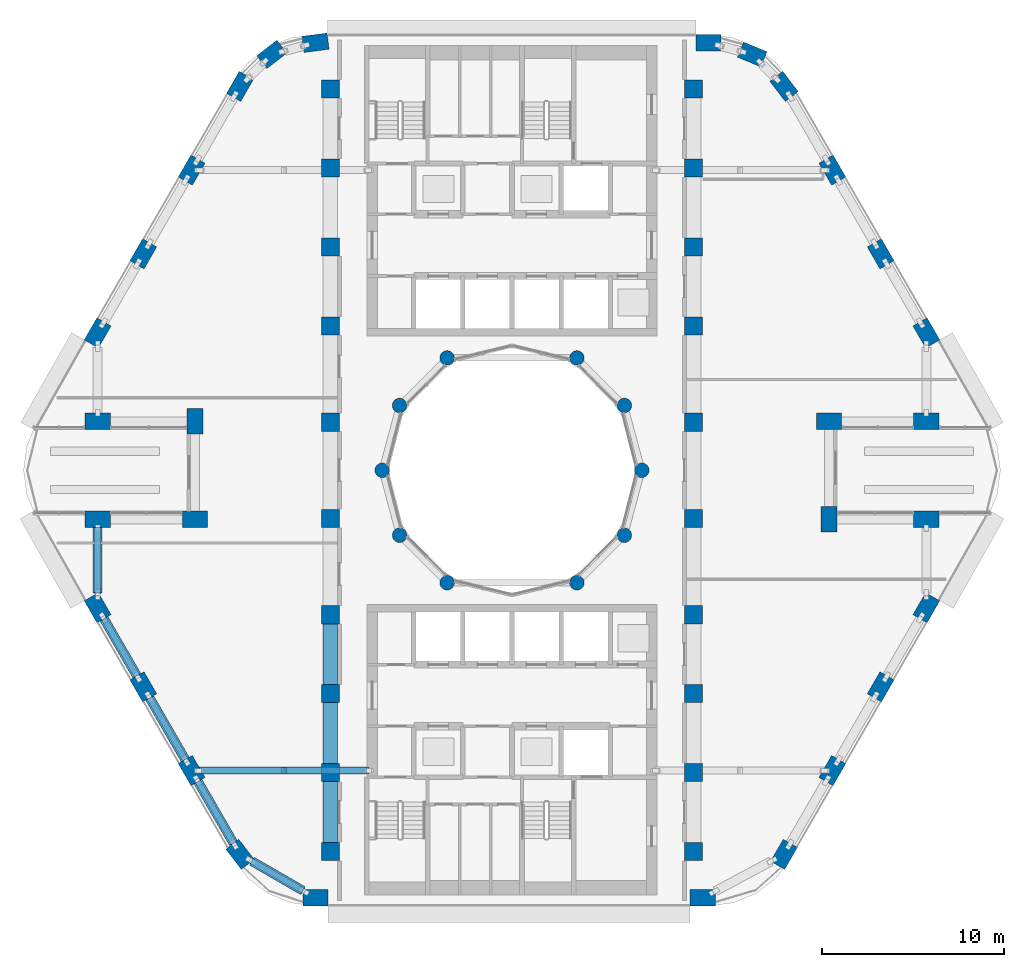
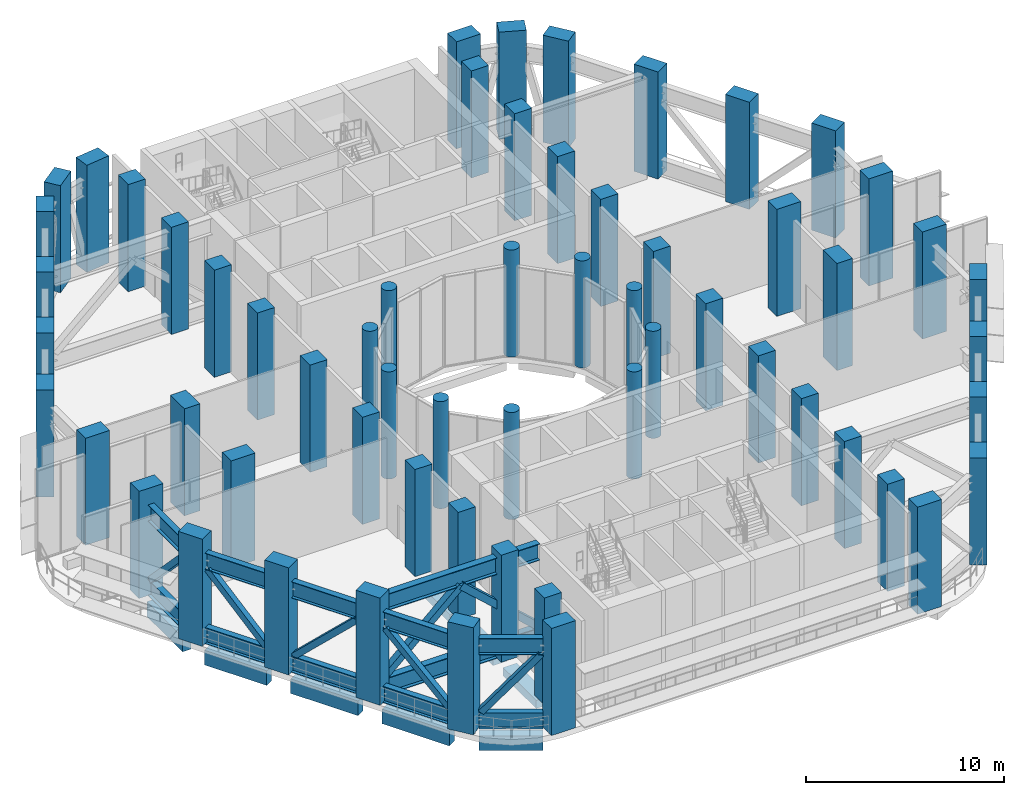
# One storey, part 1 of 21: 60 columns, 19 members, 8 beams.
"""IFC4 building model written with IfcOpenShell, lengths in metres."""

import ifcopenshell
import ifcopenshell.guid

model = None  # the IFC model being written
_history = None  # IfcOwnerHistory: only IFC2X3 demands one
_inside = {}  # id of a spatial element -> (the spatial element, [elements in it])
_under = {}  # id of a project, library or spatial element -> (it, [spatial elements below it])
_declared = {}  # id of a project -> (the project, [libraries it declares])
_typed = {}  # id of a type object -> (the type object, [elements of that type])
_made_of = {}  # id of a material, layer set ... -> (it, [elements and type objects made of it])


def new_model(schema):
    """Start an empty IFC model of exactly this schema.

    Asked for "IFC4X3", IfcOpenShell would pick the latest addendum, in which some entities
    have other attributes; the version numbers below select the first issue.
    IFC2X3 requires an IfcOwnerHistory on every rooted entity: one is made here for all.
    """
    global model, _history
    if schema == "IFC4X3":
        model = ifcopenshell.file(schema_version=(4, 3, 0, 0))
    else:
        model = ifcopenshell.file(schema=schema)
    _inside.clear()
    _under.clear()
    _declared.clear()
    _typed.clear()
    _made_of.clear()
    _history = None
    if model.schema == "IFC2X3":
        org = make("IfcOrganization", Name="unknown")
        user = make(
            "IfcPersonAndOrganization",
            ThePerson=make("IfcPerson", FamilyName="unknown"),
            TheOrganization=org,
        )
        app = make(
            "IfcApplication",
            ApplicationDeveloper=org,
            Version="unknown",
            ApplicationFullName="unknown",
            ApplicationIdentifier="unknown",
        )
        _history = make(
            "IfcOwnerHistory",
            OwningUser=user,
            OwningApplication=app,
            ChangeAction="ADDED",
            CreationDate=0,
        )
    return model


def make(cls, **values):
    """One entity of the class cls with the attributes given. An attribute that is None is left unset."""
    return model.create_entity(
        cls, **{name: value for name, value in values.items() if value is not None}
    )


def rooted(cls, **values):
    """An entity with a GlobalId (a new one), such as an element, a storey or a relation."""
    return make(cls, GlobalId=ifcopenshell.guid.new(), OwnerHistory=_history, **values)


def si_unit(unit_type, name, prefix=None):
    """IfcSIUnit, for example si_unit("LENGTHUNIT", "METRE", prefix="MILLI")."""
    return make("IfcSIUnit", UnitType=unit_type, Prefix=prefix, Name=name)


def assignment(units):
    """IfcUnitAssignment: the units of a project."""
    return None if units is None else make("IfcUnitAssignment", Units=units)


def point(xyz):
    """IfcCartesianPoint."""
    return None if xyz is None else make("IfcCartesianPoint", Coordinates=xyz)


def direction(xyz):
    """IfcDirection."""
    return None if xyz is None else make("IfcDirection", DirectionRatios=xyz)


def frame(location, z_axis=None, x_axis=None):
    """IfcAxis2Placement3D, a coordinate frame: its origin and axes. An axis left out is left unset."""
    return make(
        "IfcAxis2Placement3D",
        Location=point(location),
        Axis=direction(z_axis),
        RefDirection=direction(x_axis),
    )


def frame_2d(location, x_axis=None):
    """IfcAxis2Placement2D, a coordinate frame in the plane: its origin and x axis."""
    return make(
        "IfcAxis2Placement2D", Location=point(location), RefDirection=direction(x_axis)
    )


def origin():
    """The frame at (0, 0, 0) with its axes left unset."""
    return frame((0.0, 0.0, 0.0))


def origin_2d():
    """The frame at (0, 0) in the plane with its x axis left unset."""
    return frame_2d((0.0, 0.0))


def place(relative_to, where):
    """IfcLocalPlacement: puts the frame where relative to a parent placement (None: the world)."""
    return make(
        "IfcLocalPlacement", PlacementRelTo=relative_to, RelativePlacement=where
    )


def context(
    kind, dimensions, precision=None, world=None, true_north=None, identifier=None
):
    """IfcGeometricRepresentationContext, for example the 3D "Model" context."""
    return make(
        "IfcGeometricRepresentationContext",
        ContextIdentifier=identifier,
        ContextType=kind,
        CoordinateSpaceDimension=dimensions,
        Precision=precision,
        WorldCoordinateSystem=world,
        TrueNorth=true_north,
    )


def subcontext(parent, identifier, kind, view, scale=None):
    """IfcGeometricRepresentationSubContext, for example "Body" below "Model"."""
    return make(
        "IfcGeometricRepresentationSubContext",
        ContextIdentifier=identifier,
        ContextType=kind,
        ParentContext=parent,
        TargetScale=scale,
        TargetView=view,
    )


def project(units=None, contexts=None):
    """IfcProject with its units and contexts."""
    return rooted(
        "IfcProject",
        Name="project",
        RepresentationContexts=contexts,
        UnitsInContext=assignment(units),
    )


def spatial(cls, under=None, at=None, **own):
    """A site, building, storey or space (cls), placed at a placement, below another one or the project."""
    s = rooted(cls, ObjectPlacement=at, **own)
    if under is not None:
        _under.setdefault(under.id(), (under, []))[1].append(s)
    return s


def profile(cls, at=None, kind="AREA", **sizes):
    """A parametric profile (cls). Its sizes go by their IFC names, for example OverallWidth=200.0."""
    return make(cls, ProfileType=kind, Position=at, **sizes)


def rectangle(**sizes):
    """IfcRectangleProfileDef."""
    return profile("IfcRectangleProfileDef", **sizes)


def hollow_rectangle(**sizes):
    """IfcRectangleHollowProfileDef."""
    return profile("IfcRectangleHollowProfileDef", **sizes)


def circle(**sizes):
    """IfcCircleProfileDef."""
    return profile("IfcCircleProfileDef", **sizes)


def i_section(**sizes):
    """IfcIShapeProfileDef."""
    return profile("IfcIShapeProfileDef", **sizes)


def extrude(swept, where, along, depth):
    """IfcExtrudedAreaSolid: the profile swept, set in the frame where, extruded along a direction by depth."""
    return make(
        "IfcExtrudedAreaSolid",
        SweptArea=swept,
        Position=where,
        ExtrudedDirection=direction(along),
        Depth=depth,
    )


def shape(context_of_items, identifier, shape_type, items):
    """IfcShapeRepresentation: the items that make up one representation, for example the "Body"."""
    return make(
        "IfcShapeRepresentation",
        ContextOfItems=context_of_items,
        RepresentationIdentifier=identifier,
        RepresentationType=shape_type,
        Items=items,
    )


def material(Name=None, Category=None):
    """IfcMaterial."""
    return make("IfcMaterial", Name=Name, Category=Category)


def material_profile(
    of_material, cross_section, Name=None, Category=None, Priority=None
):
    """IfcMaterialProfile: a cross section and its material."""
    return make(
        "IfcMaterialProfile",
        Name=Name,
        Material=of_material,
        Profile=cross_section,
        Priority=Priority,
        Category=Category,
    )


def profile_set(profiles, Name=None, composite=None):
    """IfcMaterialProfileSet."""
    return make(
        "IfcMaterialProfileSet",
        Name=Name,
        MaterialProfiles=profiles,
        CompositeProfile=composite,
    )


def made_of(thing, what):
    """Note that an element or type object is made of a material, layer set ...; save() writes the relation."""
    if what is not None:
        _made_of.setdefault(what.id(), (what, []))[1].append(thing)
    return thing


def type_object(cls, material=None, **own):
    """A type object (cls), such as IfcWallType, which elements share."""
    return made_of(rooted(cls, **own), material)


def element(
    cls,
    number,
    at=None,
    inside=None,
    cuts=None,
    type_object=None,
    material=None,
    context=None,
    identifier="Body",
    shape_type=None,
    held_by="IfcProductDefinitionShape",
    body=None,
    shapes=None,
    **own,
):
    """One element of the class cls, such as IfcWall. Its Tag is "e" and its number.

    at: its placement. inside: the storey or other place that contains it. cuts: it is an
    opening in that element (IfcRelVoidsElement). A single representation is given by context,
    identifier, shape_type and body (its items); several are given by shapes. held_by: the class
    of the entity that holds the representations. save() writes the other relations.
    """
    e = rooted(cls, Tag="e%d" % number, ObjectPlacement=at, **own)
    if body is not None:
        shapes = [shape(context, identifier, shape_type, body)]
    if shapes is not None:
        e.Representation = make(held_by, Representations=shapes)
    if inside is not None:
        _inside.setdefault(inside.id(), (inside, []))[1].append(e)
    if cuts is not None:
        rooted(
            "IfcRelVoidsElement", RelatingBuildingElement=cuts, RelatedOpeningElement=e
        )
    if type_object is not None:
        _typed.setdefault(type_object.id(), (type_object, []))[1].append(e)
    return made_of(e, material)


def aggregate(whole, parts):
    """IfcRelAggregates: a whole, such as a stair, and the parts it consists of."""
    return rooted("IfcRelAggregates", RelatingObject=whole, RelatedObjects=parts)


def save(model, path):
    """Write the relations noted so far, then the file.

    IfcRelAggregates (storeys below a building ...), IfcRelContainedInSpatialStructure (elements
    in a storey), IfcRelDefinesByType, IfcRelAssociatesMaterial and IfcRelDeclares: one each for
    every whole, place, type object, material and project.
    """
    for whole, parts in _under.values():
        aggregate(whole, parts)
    for where, things in _inside.values():
        rooted(
            "IfcRelContainedInSpatialStructure",
            RelatedElements=things,
            RelatingStructure=where,
        )
    for kind, things in _typed.values():
        rooted("IfcRelDefinesByType", RelatedObjects=things, RelatingType=kind)
    for what, things in _made_of.values():
        rooted("IfcRelAssociatesMaterial", RelatedObjects=things, RelatingMaterial=what)
    for by, libraries in _declared.values():
        rooted("IfcRelDeclares", RelatingContext=by, RelatedDefinitions=libraries)
    model.write(path)


model = new_model("IFC4")

# Units and contexts
model_context = context("Model", 3, precision=1e-05, world=origin(), true_north=direction((0.0, 1.0)))
body_context = subcontext(model_context, "Body", "Model", "MODEL_VIEW")
ifc_project = project(units=[si_unit("LENGTHUNIT", "METRE"), si_unit("AREAUNIT", "SQUARE_METRE"), si_unit("VOLUMEUNIT", "CUBIC_METRE"), si_unit("PLANEANGLEUNIT", "RADIAN"), si_unit("MASSUNIT", "GRAM", prefix="KILO")], contexts=[model_context])

# Site, building, storey
site_placement = place(None, origin())
site = spatial("IfcSite", under=ifc_project, at=site_placement, CompositionType="ELEMENT")
building_placement = place(site_placement, origin())
building = spatial("IfcBuilding", under=site, at=building_placement, Name="Nakaniwa Court", CompositionType="ELEMENT")
storey_placement = place(building_placement, frame((0.0, 0.0, 120.60009765625)))
storey = spatial("IfcBuildingStorey", under=building, at=storey_placement, Name="S2", CompositionType="ELEMENT", Elevation=120.60009765625)

# Columns
ifc_material_1 = material(Name="Concrete C80/100", Category="concrete")
ifc_material_profile_1 = material_profile(ifc_material_1, rectangle(XDim=1.0, YDim=1.0, at=origin_2d()), Name="Concrete C80/100 RC 1000x1000 spine column")
ifc_profile_set_1 = profile_set([ifc_material_profile_1], Name="Concrete C80/100")
column_type_1 = type_object("IfcColumnType", Name="Concrete C80/100 RC 1000x1000 spine column", PredefinedType="COLUMN", material=ifc_profile_set_1)
for number, where, z_axis, x_axis, name in (
    (1, (90.0, 59.0, 0.0), (0.0, 0.0, 1.0), (0.0, 1.0, 0.0), "COLUMN CS-01"),
    (2, (90.0, 63.35009765625, 0.0), (0.0, 0.0, 1.0), (0.0, 1.0, 0.0), "COLUMN CS-02"),
    (3, (90.0, 67.699951171875, 0.0), (0.0, 0.0, 1.0), (0.0, 1.0, 0.0), "COLUMN CS-03"),
    (4, (90.0, 72.050048828125, 0.0), (0.0, 0.0, 1.0), (0.0, 1.0, 0.0), "COLUMN CS-04"),
    (5, (90.0, 77.35009765625, 0.0), (0.0, 0.0, 1.0), (0.0, 1.0, 0.0), "COLUMN CS-05"),
    (6, (90.0, 82.64990234375, 0.0), (0.0, 0.0, 1.0), (0.0, 1.0, 0.0), "COLUMN CS-06"),
    (7, (90.0, 87.949951171875, 0.0), (0.0, 0.0, 1.0), (0.0, 1.0, 0.0), "COLUMN CS-07"),
    (8, (90.0, 92.300048828125, 0.0), (0.0, 0.0, 1.0), (0.0, 1.0, 0.0), "COLUMN CS-08"),
    (9, (90.0, 96.64990234375, 0.0), (0.0, 0.0, 1.0), (0.0, 1.0, 0.0), "COLUMN CS-09"),
    (10, (90.0, 101.0, 0.0), (0.0, 0.0, 1.0), (0.0, 1.0, 0.0), "COLUMN CS-10"),
    (11, (70.0, 101.0, 0.0), (0.0, 0.0, 1.0), (0.0, -1.0, 0.0), "COLUMN CS-11"),
    (12, (70.0, 96.64990234375, 0.0), (0.0, 0.0, 1.0), (0.0, -1.0, 0.0), "COLUMN CS-12"),
    (13, (70.0, 92.300048828125, 0.0), (0.0, 0.0, 1.0), (0.0, -1.0, 0.0), "COLUMN CS-13"),
    (14, (70.0, 87.949951171875, 0.0), (0.0, 0.0, 1.0), (0.0, -1.0, 0.0), "COLUMN CS-14"),
    (15, (70.0, 82.64990234375, 0.0), (0.0, 0.0, 1.0), (0.0, -1.0, 0.0), "COLUMN CS-15"),
    (16, (70.0, 77.35009765625, 0.0), (0.0, 0.0, 1.0), (0.0, -1.0, 0.0), "COLUMN CS-16"),
    (17, (70.0, 72.050048828125, 0.0), (0.0, 0.0, 1.0), (0.0, -1.0, 0.0), "COLUMN CS-17"),
    (18, (70.0, 67.699951171875, 0.0), (0.0, 0.0, 1.0), (0.0, -1.0, 0.0), "COLUMN CS-18"),
    (19, (70.0, 63.35009765625, 0.0), (0.0, 0.0, 1.0), (0.0, -1.0, 0.0), "COLUMN CS-19"),
    (20, (70.0, 59.0, 0.0), (0.0, 0.0, 1.0), (0.0, -1.0, 0.0), "COLUMN CS-20"),
):
    element("IfcColumn", number, at=place(storey_placement, frame(where, z_axis=z_axis, x_axis=x_axis)), inside=storey, type_object=column_type_1, Name=name, PredefinedType="COLUMN", context=body_context, shape_type="SweptSolid", body=[
        extrude(rectangle(XDim=1.0, YDim=1.0, at=origin_2d()), origin(), (0.0, 0.0, 1.0), 6.599853515625),
    ])
ifc_material_profile_2 = material_profile(ifc_material_1, rectangle(XDim=1.39990234375, YDim=0.89990234375, at=origin_2d()), Name="Concrete C80/100 RC 1400x900 perimeter column")
ifc_profile_set_2 = profile_set([ifc_material_profile_2], Name="Concrete C80/100")
column_type_2 = type_object("IfcColumnType", Name="Concrete C80/100 RC 1400x900 perimeter column", PredefinedType="COLUMN", material=ifc_profile_set_2)
for number, where, z_axis, x_axis, name in (
    (21, (69.17529296875, 103.550048828125, 0.0), (0.0, 0.0, 1.0), (-0.991442583111, -0.130543496177, 0.0), "COLUMN CO-01"),
    (22, (66.772705078125, 102.91015625, 0.0), (0.0, 0.0, 1.0), (-0.793363965062, -0.608747582288, 0.0), "COLUMN CO-02"),
    (23, (65.017578125, 101.1494140625, 0.0), (0.0, 0.0, 1.0), (-0.5, -0.866025403784, 0.0), "COLUMN CO-03"),
    (24, (62.3544921875, 96.537109375, 0.0), (0.0, 0.0, 1.0), (-0.5, -0.866025403784, 0.0), "COLUMN CO-04"),
    (25, (59.691650390625, 91.9248046875, 0.0), (0.0, 0.0, 1.0), (-0.5, -0.866025403784, 0.0), "COLUMN CO-05"),
    (26, (57.177001953125, 87.569580078125, 0.0), (0.0, 0.0, 1.0), (-0.5, -0.866025403784, 0.0), "COLUMN CO-06"),
    (27, (57.177001953125, 82.699951171875, 0.0), (0.0, 0.0, 1.0), (1.0, 0.0, 0.0), "COLUMN CO-08"),
    (28, (62.54150390625, 82.699951171875, 0.0), (0.0, 0.0, 1.0), (0.0, -1.0, 0.0), "COLUMN CO-09"),
    (29, (62.54150390625, 77.300048828125, 0.0), (0.0, 0.0, 1.0), (-1.0, 0.0, 0.0), "COLUMN CO-10"),
    (30, (57.177001953125, 77.300048828125, 0.0), (0.0, 0.0, 1.0), (-1.0, 0.0, 0.0), "COLUMN CO-11"),
    (31, (57.177001953125, 72.430419921875, 0.0), (0.0, 0.0, 1.0), (0.5, -0.866025403784, 0.0), "COLUMN CO-13"),
    (32, (59.691650390625, 68.0751953125, 0.0), (0.0, 0.0, 1.0), (0.5, -0.866025403784, 0.0), "COLUMN CO-14"),
    (33, (62.3544921875, 63.462890625, 0.0), (0.0, 0.0, 1.0), (0.5, -0.866025403784, 0.0), "COLUMN CO-15"),
    (34, (65.017578125, 58.8505859375, 0.0), (0.0, 0.0, 1.0), (0.608761429009, -0.793353340291, 0.0), "COLUMN CO-16"),
    (35, (69.17529296875, 56.449951171875, 0.0), (0.0, 0.0, 1.0), (1.0, 0.0, 0.0), "COLUMN CO-17"),
    (36, (90.507080078125, 56.449951171875, 0.0), (0.0, 0.0, 1.0), (1.0, 0.0, 0.0), "COLUMN CO-21"),
    (37, (94.982421875, 58.8505859375, 0.0), (0.0, 0.0, 1.0), (0.5, 0.866025403784, 0.0), "COLUMN CO-22"),
    (38, (97.6455078125, 63.462890625, 0.0), (0.0, 0.0, 1.0), (0.5, 0.866025403784, 0.0), "COLUMN CO-23"),
    (39, (100.308349609375, 68.0751953125, 0.0), (0.0, 0.0, 1.0), (0.5, 0.866025403784, 0.0), "COLUMN CO-24"),
    (40, (102.822998046875, 72.430419921875, 0.0), (0.0, 0.0, 1.0), (0.5, 0.866025403784, 0.0), "COLUMN CO-25"),
    (41, (102.822998046875, 77.300048828125, 0.0), (0.0, 0.0, 1.0), (-1.0, 0.0, 0.0), "COLUMN CO-27"),
    (42, (97.45849609375, 77.300048828125, 0.0), (0.0, 0.0, 1.0), (0.0, 1.0, 0.0), "COLUMN CO-28"),
    (43, (97.45849609375, 82.699951171875, 0.0), (0.0, 0.0, 1.0), (1.0, 0.0, 0.0), "COLUMN CO-29"),
    (44, (102.822998046875, 82.699951171875, 0.0), (0.0, 0.0, 1.0), (1.0, 0.0, 0.0), "COLUMN CO-30"),
    (45, (102.822998046875, 87.569580078125, 0.0), (0.0, 0.0, 1.0), (-0.5, 0.866025403784, 0.0), "COLUMN CO-32"),
    (46, (100.308349609375, 91.9248046875, 0.0), (0.0, 0.0, 1.0), (-0.5, 0.866025403784, 0.0), "COLUMN CO-33"),
    (47, (97.6455078125, 96.537109375, 0.0), (0.0, 0.0, 1.0), (-0.5, 0.866025403784, 0.0), "COLUMN CO-34"),
    (48, (94.982421875, 101.1494140625, 0.0), (0.0, 0.0, 1.0), (-0.608761429009, 0.793353340291, 0.0), "COLUMN CO-35"),
    (49, (93.227294921875, 102.91015625, 0.0), (0.0, 0.0, 1.0), (-0.923879532511, 0.382683432365, 0.0), "COLUMN CO-36"),
    (50, (90.82470703125, 103.550048828125, 0.0), (0.0, 0.0, 1.0), (-1.0, 0.0, 0.0), "COLUMN CO-37"),
):
    element("IfcColumn", number, at=place(storey_placement, frame(where, z_axis=z_axis, x_axis=x_axis)), inside=storey, type_object=column_type_2, Name=name, PredefinedType="COLUMN", context=body_context, shape_type="SweptSolid", body=[
        extrude(rectangle(XDim=1.39990234375, YDim=0.89990234375, at=origin_2d()), origin(), (0.0, 0.0, 1.0), 6.599853515625),
    ])
ifc_material_profile_3 = material_profile(ifc_material_1, circle(Radius=0.39990234375, at=origin_2d()), Name="Concrete C80/100 RC D800 inner ring column")
ifc_profile_set_3 = profile_set([ifc_material_profile_3], Name="Concrete C80/100")
column_type_3 = type_object("IfcColumnType", Name="Concrete C80/100 RC D800 inner ring column", PredefinedType="COLUMN", material=ifc_profile_set_3)
for number, where, z_axis, x_axis, name in (
    (51, (87.14990234375, 80.0, 0.0), (0.0, 0.0, 1.0), (0.0, 1.0, 0.0), "COLUMN CI-01"),
    (52, (86.192138671875, 83.574951171875, 0.0), (0.0, 0.0, 1.0), (-0.5, 0.866025403784, 0.0), "COLUMN CI-02"),
    (53, (83.574951171875, 86.192138671875, 0.0), (0.0, 0.0, 1.0), (-0.866025403784, 0.5, 0.0), "COLUMN CI-03"),
    (54, (76.425048828125, 86.192138671875, 0.0), (0.0, 0.0, 1.0), (-0.866025403784, -0.5, 0.0), "COLUMN CI-05"),
    (55, (73.807861328125, 83.574951171875, 0.0), (0.0, 0.0, 1.0), (-0.5, -0.866025403784, 0.0), "COLUMN CI-06"),
    (56, (72.85009765625, 80.0, 0.0), (0.0, 0.0, 1.0), (0.0, -1.0, 0.0), "COLUMN CI-07"),
    (57, (73.807861328125, 76.425048828125, 0.0), (0.0, 0.0, 1.0), (0.5, -0.866025403784, 0.0), "COLUMN CI-08"),
    (58, (76.425048828125, 73.807861328125, 0.0), (0.0, 0.0, 1.0), (0.866025403784, -0.5, 0.0), "COLUMN CI-09"),
    (59, (83.574951171875, 73.807861328125, 0.0), (0.0, 0.0, 1.0), (0.866025403784, 0.5, 0.0), "COLUMN CI-11"),
    (60, (86.192138671875, 76.425048828125, 0.0), (0.0, 0.0, 1.0), (0.5, 0.866025403784, 0.0), "COLUMN CI-12"),
):
    element("IfcColumn", number, at=place(storey_placement, frame(where, z_axis=z_axis, x_axis=x_axis)), inside=storey, type_object=column_type_3, Name=name, PredefinedType="COLUMN", context=body_context, shape_type="SweptSolid", body=[
        extrude(circle(Radius=0.39990234375, at=origin_2d()), origin(), (0.0, 0.0, 1.0), 6.599853515625),
    ])

# Members
ifc_material_2 = material(Name="Steel Grade 350", Category="steel")
ifc_material_profile_4 = material_profile(ifc_material_2, i_section(OverallWidth=0.35009765625, OverallDepth=1.010009765625, WebThickness=0.01611328125, FlangeThickness=0.02490234375, at=origin_2d()), Name="1000WB258")
ifc_profile_set_4 = profile_set([ifc_material_profile_4], Name="Steel Grade 350")
member_type_1 = type_object("IfcMemberType", Name="BELT chord 1000 WB258", PredefinedType="CHORD", material=ifc_profile_set_4)
for number, where, z_axis, x_axis, name in (
    (61, (57.177001953125, 76.85009765625, 0.5048828125), (0.0, -1.0, 0.0), (1.0, 0.0, 0.0), "BELT CHORD BT-07-B"),
    (62, (57.177001953125, 76.85009765625, 5.0849609375), (0.0, -1.0, 0.0), (1.0, 0.0, 0.0), "BELT CHORD BT-07-T"),
):
    element("IfcMember", number, at=place(storey_placement, frame(where, z_axis=z_axis, x_axis=x_axis)), inside=storey, type_object=member_type_1, Name=name, PredefinedType="CHORD", context=body_context, shape_type="SweptSolid", body=[
        extrude(i_section(OverallWidth=0.35009765625, OverallDepth=1.010009765625, WebThickness=0.01611328125, FlangeThickness=0.02490234375, at=origin_2d()), origin(), (0.0, 0.0, 1.0), 3.611572265625),
    ])
for number, where, z_axis, x_axis, name in (
    (63, (57.527099609375, 71.82421875, 0.5048828125), (0.499988394233, -0.866032104273, 0.0), (0.866032104273, 0.499988394233, 0.0), "BELT CHORD BT-08-B"),
    (64, (57.527099609375, 71.82421875, 5.0849609375), (0.499988394233, -0.866032104273, 0.0), (0.866032104273, 0.499988394233, 0.0), "BELT CHORD BT-08-T"),
):
    element("IfcMember", number, at=place(storey_placement, frame(where, z_axis=z_axis, x_axis=x_axis)), inside=storey, type_object=member_type_1, Name=name, PredefinedType="CHORD", context=body_context, shape_type="SweptSolid", body=[
        extrude(i_section(OverallWidth=0.35009765625, OverallDepth=1.010009765625, WebThickness=0.01611328125, FlangeThickness=0.02490234375, at=origin_2d()), origin(), (0.0, 0.0, 1.0), 3.62890625),
    ])
for number, where, z_axis, x_axis, name in (
    (65, (60.04150390625, 67.468994140625, 0.5048828125), (0.49999161165, -0.866030246746, 0.0), (0.866030246746, 0.49999161165, 0.0), "BELT CHORD BT-09-B"),
    (66, (60.04150390625, 67.468994140625, 5.0849609375), (0.49999161165, -0.866030246746, 0.0), (0.866030246746, 0.49999161165, 0.0), "BELT CHORD BT-09-T"),
):
    element("IfcMember", number, at=place(storey_placement, frame(where, z_axis=z_axis, x_axis=x_axis)), inside=storey, type_object=member_type_1, Name=name, PredefinedType="CHORD", context=body_context, shape_type="SweptSolid", body=[
        extrude(i_section(OverallWidth=0.35009765625, OverallDepth=1.010009765625, WebThickness=0.01611328125, FlangeThickness=0.02490234375, at=origin_2d()), origin(), (0.0, 0.0, 1.0), 3.92578125),
    ])
for number, where, z_axis, x_axis, name in (
    (67, (62.70458984375, 62.856689453125, 0.5048828125), (0.499997407846, -0.86602690036, 0.0), (0.86602690036, 0.499997407846, 0.0), "BELT CHORD BT-10-B"),
    (68, (62.70458984375, 62.856689453125, 5.0849609375), (0.499997407846, -0.86602690036, 0.0), (0.86602690036, 0.499997407846, 0.0), "BELT CHORD BT-10-T"),
):
    element("IfcMember", number, at=place(storey_placement, frame(where, z_axis=z_axis, x_axis=x_axis)), inside=storey, type_object=member_type_1, Name=name, PredefinedType="CHORD", context=body_context, shape_type="SweptSolid", body=[
        extrude(i_section(OverallWidth=0.35009765625, OverallDepth=1.010009765625, WebThickness=0.01611328125, FlangeThickness=0.02490234375, at=origin_2d()), origin(), (0.0, 0.0, 1.0), 3.919921875),
    ])
for number, where, z_axis, x_axis, name in (
    (69, (65.673583984375, 58.4716796875, 0.5048828125), (0.866014675542, -0.5000185814, 0.0), (0.5000185814, 0.866014675542, 0.0), "BELT CHORD BT-11-B"),
    (70, (65.673583984375, 58.4716796875, 5.0849609375), (0.866014675542, -0.5000185814, 0.0), (0.5000185814, 0.866014675542, 0.0), "BELT CHORD BT-11-T"),
):
    element("IfcMember", number, at=place(storey_placement, frame(where, z_axis=z_axis, x_axis=x_axis)), inside=storey, type_object=member_type_1, Name=name, PredefinedType="CHORD", context=body_context, shape_type="SweptSolid", body=[
        extrude(i_section(OverallWidth=0.35009765625, OverallDepth=1.010009765625, WebThickness=0.01611328125, FlangeThickness=0.02490234375, at=origin_2d()), origin(), (0.0, 0.0, 1.0), 3.2353515625),
    ])
ifc_material_profile_5 = material_profile(ifc_material_2, hollow_rectangle(XDim=0.35009765625, YDim=0.35009765625, WallThickness=0.01611328125, at=origin_2d()), Name="BELT diagonal 350x350x16 SHS")
ifc_profile_set_5 = profile_set([ifc_material_profile_5], Name="Steel Grade 350")
member_type_2 = type_object("IfcMemberType", Name="BELT diagonal 350x350x16 SHS", PredefinedType="BRACE", material=ifc_profile_set_5)
member_1_placement = place(storey_placement, frame((57.177001953125, 76.75, 1.010009765625), z_axis=(0.0, -0.690880170315, 0.722969287221), x_axis=(1.0, 0.0, 0.0)))
element("IfcMember", 71, at=member_1_placement, inside=storey, type_object=member_type_2, Name="BELT DIAGONAL BT-07-D", PredefinedType="BRACE", context=body_context, shape_type="SweptSolid", body=[
    extrude(hollow_rectangle(XDim=0.35009765625, YDim=0.35009765625, WallThickness=0.01611328125, at=origin_2d()), origin(), (0.0, 0.0, 1.0), 4.937744140625),
])
member_2_placement = place(storey_placement, frame((57.5771484375, 71.737548828125, 4.579833984375), z_axis=(0.346348676285, -0.599920101062, -0.721206258138), x_axis=(0.866035002231, 0.499983374634, 0.0)))
element("IfcMember", 72, at=member_2_placement, inside=storey, type_object=member_type_2, Name="BELT DIAGONAL BT-08-D", PredefinedType="BRACE", context=body_context, shape_type="SweptSolid", body=[
    extrude(hollow_rectangle(XDim=0.35009765625, YDim=0.35009765625, WallThickness=0.01611328125, at=origin_2d()), origin(), (0.0, 0.0, 1.0), 4.94970703125),
])
member_3_placement = place(storey_placement, frame((60.091552734375, 67.382568359375, 1.010009765625), z_axis=(0.361045341506, -0.62533564129, 0.691810376556), x_axis=(0.866020821829, 0.500007936096, 0.0)))
element("IfcMember", 73, at=member_3_placement, inside=storey, type_object=member_type_2, Name="BELT DIAGONAL BT-09-D", PredefinedType="BRACE", context=body_context, shape_type="SweptSolid", body=[
    extrude(hollow_rectangle(XDim=0.35009765625, YDim=0.35009765625, WallThickness=0.01611328125, at=origin_2d()), origin(), (0.0, 0.0, 1.0), 5.16015625),
])
member_4_placement = place(storey_placement, frame((62.75439453125, 62.77001953125, 4.579833984375), z_axis=(0.360786256976, -0.624829329413, -0.692402762764), x_axis=(0.866000871473, 0.500042488803, 0.0)))
element("IfcMember", 74, at=member_4_placement, inside=storey, type_object=member_type_2, Name="BELT DIAGONAL BT-10-D", PredefinedType="BRACE", context=body_context, shape_type="SweptSolid", body=[
    extrude(hollow_rectangle(XDim=0.35009765625, YDim=0.35009765625, WallThickness=0.01611328125, at=origin_2d()), origin(), (0.0, 0.0, 1.0), 5.15576171875),
])
member_5_placement = place(storey_placement, frame((65.76025390625, 58.421630859375, 1.010009765625), z_axis=(0.560951150279, -0.323878167391, 0.761863990282), x_axis=(0.500014901547, 0.866016800201, 0.0)))
element("IfcMember", 75, at=member_5_placement, inside=storey, type_object=member_type_2, Name="BELT DIAGONAL BT-11-D", PredefinedType="BRACE", context=body_context, shape_type="SweptSolid", body=[
    extrude(hollow_rectangle(XDim=0.35009765625, YDim=0.35009765625, WallThickness=0.01611328125, at=origin_2d()), origin(), (0.0, 0.0, 1.0), 4.685546875),
])

# Beams
ifc_material_profile_6 = material_profile(ifc_material_1, rectangle(XDim=0.5, YDim=0.89990234375, at=origin_2d()), Name="Concrete C80/100 RC 500x900 spandrel beam")
ifc_profile_set_6 = profile_set([ifc_material_profile_6], Name="Concrete C80/100")
beam_type_1 = type_object("IfcBeamType", Name="Concrete C80/100 RC 500x900 spandrel beam", PredefinedType="BEAM", material=ifc_profile_set_6)
beam_1_placement = place(storey_placement, frame((57.177001953125, 76.85009765625, -0.800048828125), z_axis=(0.0, -1.0, 0.0), x_axis=(1.0, 0.0, 0.0)))
element("IfcBeam", 76, at=beam_1_placement, inside=storey, type_object=beam_type_1, Name="SPANDREL BEAM", PredefinedType="BEAM", context=body_context, shape_type="SweptSolid", body=[
    extrude(rectangle(XDim=0.5, YDim=0.89990234375, at=origin_2d()), origin(), (0.0, 0.0, 1.0), 3.611572265625),
])
beam_2_placement = place(storey_placement, frame((57.527099609375, 71.82421875, -0.800048828125), z_axis=(0.499988394233, -0.866032104273, 0.0), x_axis=(0.866032104273, 0.499988394233, 0.0)))
element("IfcBeam", 77, at=beam_2_placement, inside=storey, type_object=beam_type_1, Name="SPANDREL BEAM", PredefinedType="BEAM", context=body_context, shape_type="SweptSolid", body=[
    extrude(rectangle(XDim=0.5, YDim=0.89990234375, at=origin_2d()), origin(), (0.0, 0.0, 1.0), 3.62890625),
])
beam_3_placement = place(storey_placement, frame((60.04150390625, 67.468994140625, -0.800048828125), z_axis=(0.49999161165, -0.866030246746, 0.0), x_axis=(0.866030246746, 0.49999161165, 0.0)))
element("IfcBeam", 78, at=beam_3_placement, inside=storey, type_object=beam_type_1, Name="SPANDREL BEAM", PredefinedType="BEAM", context=body_context, shape_type="SweptSolid", body=[
    extrude(rectangle(XDim=0.5, YDim=0.89990234375, at=origin_2d()), origin(), (0.0, 0.0, 1.0), 3.92578125),
])
beam_4_placement = place(storey_placement, frame((62.70458984375, 62.856689453125, -0.800048828125), z_axis=(0.499997407846, -0.86602690036, 0.0), x_axis=(0.86602690036, 0.499997407846, 0.0)))
element("IfcBeam", 79, at=beam_4_placement, inside=storey, type_object=beam_type_1, Name="SPANDREL BEAM", PredefinedType="BEAM", context=body_context, shape_type="SweptSolid", body=[
    extrude(rectangle(XDim=0.5, YDim=0.89990234375, at=origin_2d()), origin(), (0.0, 0.0, 1.0), 3.919921875),
])
beam_5_placement = place(storey_placement, frame((65.673583984375, 58.4716796875, -0.800048828125), z_axis=(0.866014675542, -0.5000185814, 0.0), x_axis=(0.5000185814, 0.866014675542, 0.0)))
element("IfcBeam", 80, at=beam_5_placement, inside=storey, type_object=beam_type_1, Name="SPANDREL BEAM", PredefinedType="BEAM", context=body_context, shape_type="SweptSolid", body=[
    extrude(rectangle(XDim=0.5, YDim=0.89990234375, at=origin_2d()), origin(), (0.0, 0.0, 1.0), 3.2353515625),
])
ifc_material_profile_7 = material_profile(ifc_material_1, rectangle(XDim=0.800048828125, YDim=0.5, at=origin_2d()), Name="Concrete C80/100 RC 800x500 ring beam")
ifc_profile_set_7 = profile_set([ifc_material_profile_7], Name="Concrete C80/100")
beam_type_2 = type_object("IfcBeamType", Name="Concrete C80/100 RC 800x500 ring beam", PredefinedType="BEAM", material=ifc_profile_set_7)
beam_6_placement = place(storey_placement, frame((70.0, 71.550048828125, -0.60009765625), z_axis=(0.0, -1.0, 0.0), x_axis=(1.0, 0.0, 0.0)))
element("IfcBeam", 81, at=beam_6_placement, inside=storey, type_object=beam_type_2, Name="RING BEAM", PredefinedType="BEAM", context=body_context, shape_type="SweptSolid", body=[
    extrude(rectangle(XDim=0.800048828125, YDim=0.5, at=origin_2d()), origin(), (0.0, 0.0, 1.0), 3.35009765625),
])
beam_7_placement = place(storey_placement, frame((70.0, 67.199951171875, -0.60009765625), z_axis=(0.0, -1.0, 0.0), x_axis=(1.0, 0.0, 0.0)))
element("IfcBeam", 82, at=beam_7_placement, inside=storey, type_object=beam_type_2, Name="RING BEAM", PredefinedType="BEAM", context=body_context, shape_type="SweptSolid", body=[
    extrude(rectangle(XDim=0.800048828125, YDim=0.5, at=origin_2d()), origin(), (0.0, 0.0, 1.0), 3.349853515625),
])
beam_8_placement = place(storey_placement, frame((70.0, 62.85009765625, -0.60009765625), z_axis=(0.0, -1.0, 0.0), x_axis=(1.0, 0.0, 0.0)))
element("IfcBeam", 83, at=beam_8_placement, inside=storey, type_object=beam_type_2, Name="RING BEAM", PredefinedType="BEAM", context=body_context, shape_type="SweptSolid", body=[
    extrude(rectangle(XDim=0.800048828125, YDim=0.5, at=origin_2d()), origin(), (0.0, 0.0, 1.0), 3.35009765625),
])

# Members
ifc_material_profile_8 = material_profile(ifc_material_2, i_section(OverallWidth=0.39990234375, OverallDepth=1.02392578125, WebThickness=0.01611328125, FlangeThickness=0.031982421875, at=origin_2d()), Name="1000WB322")
ifc_profile_set_8 = profile_set([ifc_material_profile_8], Name="Steel Grade 350")
member_type_3 = type_object("IfcMemberType", Name="OUTRIGGER chord 1000 WB322", PredefinedType="CHORD", material=ifc_profile_set_8)
for number, where, z_axis, x_axis, name in (
    (84, (72.0, 63.462890625, 0.511962890625), (-1.0, 0.0, 0.0), (0.0, -1.0, 0.0), "OUTRIGGER CHORD OT-04-B"),
    (85, (72.0, 63.462890625, 5.677978515625), (-1.0, 0.0, 0.0), (0.0, -1.0, 0.0), "OUTRIGGER CHORD OT-04-T"),
):
    element("IfcMember", number, at=place(storey_placement, frame(where, z_axis=z_axis, x_axis=x_axis)), inside=storey, type_object=member_type_3, Name=name, PredefinedType="CHORD", context=body_context, shape_type="SweptSolid", body=[
        extrude(i_section(OverallWidth=0.39990234375, OverallDepth=1.02392578125, WebThickness=0.01611328125, FlangeThickness=0.031982421875, at=origin_2d()), origin(), (0.0, 0.0, 1.0), 9.1259765625),
    ])
ifc_material_profile_9 = material_profile(ifc_material_2, hollow_rectangle(XDim=0.39990234375, YDim=0.39990234375, WallThickness=0.01611328125, at=origin_2d()), Name="OUTRIGGER diagonal 400x400x16 SHS")
ifc_profile_set_9 = profile_set([ifc_material_profile_9], Name="Steel Grade 350")
member_type_4 = type_object("IfcMemberType", Name="OUTRIGGER diagonal 400x400x16 SHS", PredefinedType="BRACE", material=ifc_profile_set_9)
for number, where, z_axis, x_axis, name in (
    (86, (72.0, 63.462890625, 1.02392578125), (-0.740431048151, 0.0, 0.672132325464), (0.0, -1.0, 0.0), "OUTRIGGER DIAGONAL OT-04-D1"),
    (87, (67.43701171875, 63.462890625, 5.166015625), (-0.740431048151, 0.0, -0.672132325464), (0.0, -1.0, 0.0), "OUTRIGGER DIAGONAL OT-04-D2"),
):
    element("IfcMember", number, at=place(storey_placement, frame(where, z_axis=z_axis, x_axis=x_axis)), inside=storey, type_object=member_type_4, Name=name, PredefinedType="BRACE", context=body_context, shape_type="SweptSolid", body=[
        extrude(hollow_rectangle(XDim=0.39990234375, YDim=0.39990234375, WallThickness=0.01611328125, at=origin_2d()), origin(), (0.0, 0.0, 1.0), 6.16259765625),
    ])

save(model, "model.ifc")
